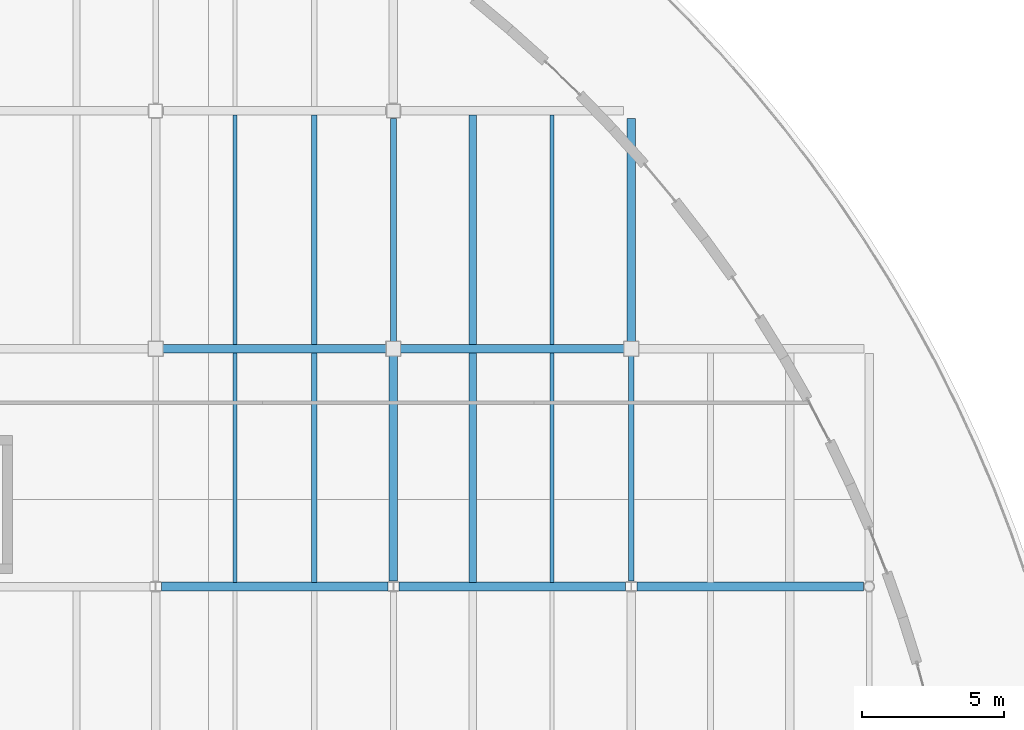
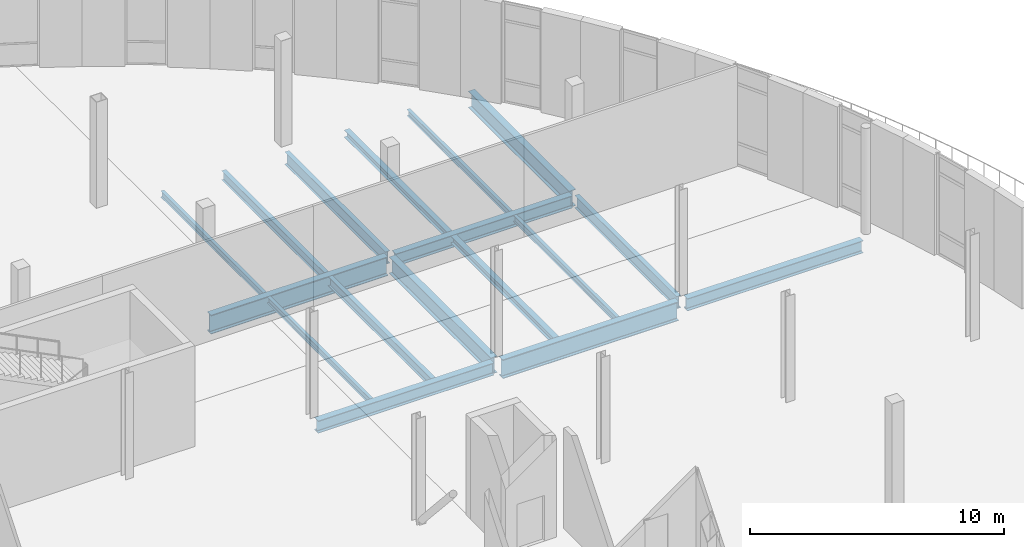
# One storey, part 49 of 103: 17 beams.
"""IFC4 building model written with IfcOpenShell, lengths in metres."""

from ifc_helpers import new_model, si_unit, direction, frame, origin, origin_2d, place, context, subcontext, project, spatial, i_section, extrude, material, material_profile, profile_set, type_object, element, save


model = new_model("IFC4")

# Units and contexts
model_context = context("Model", 3, precision=1e-05, world=origin(), true_north=direction((0.0, 1.0)))
body_context = subcontext(model_context, "Body", "Model", "MODEL_VIEW")
ifc_project = project(units=[si_unit("LENGTHUNIT", "METRE"), si_unit("AREAUNIT", "SQUARE_METRE"), si_unit("VOLUMEUNIT", "CUBIC_METRE"), si_unit("PLANEANGLEUNIT", "RADIAN"), si_unit("MASSUNIT", "GRAM", prefix="KILO"), si_unit("THERMODYNAMICTEMPERATUREUNIT", "KELVIN")], contexts=[model_context])

# Site, building, storey
site_placement = place(None, origin())
site = spatial("IfcSite", under=ifc_project, at=site_placement, CompositionType="ELEMENT")
building_placement = place(site_placement, origin())
building = spatial("IfcBuilding", under=site, at=building_placement, Name="Lustrewick Department Store", CompositionType="ELEMENT")
storey_placement = place(building_placement, frame((0.0, 0.0, 16.5)))
storey = spatial("IfcBuildingStorey", under=building, at=storey_placement, Name="L04", CompositionType="ELEMENT", Elevation=16.5)

# Beams
ifc_material_1 = material(Name="Structural steel Q355B", Category="steel")
ifc_material_profile_1 = material_profile(ifc_material_1, i_section(OverallWidth=0.199951171875, OverallDepth=0.449951171875, WebThickness=0.009033203125, FlangeThickness=0.013916015625, FilletRadius=0.01611328125, at=origin_2d()), Name="HN 450x200x9x14")
ifc_profile_set_1 = profile_set([ifc_material_profile_1], Name="Structural steel Q355B")
beam_type_1 = type_object("IfcBeamType", Name="B03", PredefinedType="JOIST", material=ifc_profile_set_1)
for number, where, z_axis, x_axis, name in (
    (1, (140.0, 75.7509765625, -0.47998046875), (0.0, 1.0, 0.0), (-1.0, 0.0, 0.0), "L04 V4 Secondary Joist B03"),
    (2, (140.0, 84.15087890625, -0.47998046875), (0.0, 1.0, 0.0), (-1.0, 0.0, 0.0), "L04 V4 Secondary Joist B03"),
):
    element("IfcBeam", number, at=place(storey_placement, frame(where, z_axis=z_axis, x_axis=x_axis)), inside=storey, type_object=beam_type_1, Name=name, PredefinedType="JOIST", context=body_context, shape_type="SweptSolid", body=[
        extrude(i_section(OverallWidth=0.199951171875, OverallDepth=0.449951171875, WebThickness=0.009033203125, FlangeThickness=0.013916015625, FilletRadius=0.01611328125, at=origin_2d()), origin(), (0.0, 0.0, 1.0), 8.09814453125),
    ])
ifc_material_profile_2 = material_profile(ifc_material_1, i_section(OverallWidth=0.25, OverallDepth=0.340087890625, WebThickness=0.009033203125, FlangeThickness=0.013916015625, FilletRadius=0.01611328125, at=origin_2d()), Name="HM 340x250x9x14")
ifc_profile_set_2 = profile_set([ifc_material_profile_2], Name="Structural steel Q355B")
beam_type_2 = type_object("IfcBeamType", Name="B08", PredefinedType="JOIST", material=ifc_profile_set_2)
for number, where, z_axis, x_axis, name in (
    (3, (145.60009765625, 75.7509765625, -0.425048828125), (0.0, 1.0, 0.0), (-1.0, 0.0, 0.0), "L04 V4 Secondary Joist B08"),
    (4, (145.60009765625, 84.15087890625, -0.425048828125), (0.0, 1.0, 0.0), (-1.0, 0.0, 0.0), "L04 V4 Secondary Joist B08"),
):
    element("IfcBeam", number, at=place(storey_placement, frame(where, z_axis=z_axis, x_axis=x_axis)), inside=storey, type_object=beam_type_2, Name=name, PredefinedType="JOIST", context=body_context, shape_type="SweptSolid", body=[
        extrude(i_section(OverallWidth=0.25, OverallDepth=0.340087890625, WebThickness=0.009033203125, FlangeThickness=0.013916015625, FilletRadius=0.01611328125, at=origin_2d()), origin(), (0.0, 0.0, 1.0), 8.09814453125),
    ])
ifc_material_profile_3 = material_profile(ifc_material_1, i_section(OverallWidth=0.14990234375, OverallDepth=0.300048828125, WebThickness=0.006591796875, FlangeThickness=0.009033203125, FilletRadius=0.011962890625, at=origin_2d()), Name="HN 300x150x6.5x9")
ifc_profile_set_3 = profile_set([ifc_material_profile_3], Name="Structural steel Q355B")
beam_type_3 = type_object("IfcBeamType", Name="B11", PredefinedType="JOIST", material=ifc_profile_set_3)
for number, where, z_axis, x_axis, name in (
    (5, (148.39990234375, 75.7509765625, -0.405029296875), (0.0, 1.0, 0.0), (-1.0, 0.0, 0.0), "L04 V4 Secondary Joist B11"),
    (6, (148.39990234375, 84.15087890625, -0.405029296875), (0.0, 1.0, 0.0), (-1.0, 0.0, 0.0), "L04 V4 Secondary Joist B11"),
):
    element("IfcBeam", number, at=place(storey_placement, frame(where, z_axis=z_axis, x_axis=x_axis)), inside=storey, type_object=beam_type_3, Name=name, PredefinedType="JOIST", context=body_context, shape_type="SweptSolid", body=[
        extrude(i_section(OverallWidth=0.14990234375, OverallDepth=0.300048828125, WebThickness=0.006591796875, FlangeThickness=0.009033203125, FilletRadius=0.011962890625, at=origin_2d()), origin(), (0.0, 0.0, 1.0), 8.09814453125),
    ])
ifc_material_profile_4 = material_profile(ifc_material_1, i_section(OverallWidth=0.14892578125, OverallDepth=0.298095703125, WebThickness=0.005615234375, FlangeThickness=0.008056640625, FilletRadius=0.011962890625, at=origin_2d()), Name="HN 298x149x5.5x8")
ifc_profile_set_4 = profile_set([ifc_material_profile_4], Name="Structural steel Q355B")
beam_type_4 = type_object("IfcBeamType", Name="B12", PredefinedType="JOIST", material=ifc_profile_set_4)
for number, where, z_axis, x_axis, name in (
    (7, (137.199951171875, 75.7509765625, -0.404052734375), (0.0, 1.0, 0.0), (-1.0, 0.0, 0.0), "L04 V4 Secondary Joist B12"),
    (8, (137.199951171875, 84.15087890625, -0.404052734375), (0.0, 1.0, 0.0), (-1.0, 0.0, 0.0), "L04 V4 Secondary Joist B12"),
):
    element("IfcBeam", number, at=place(storey_placement, frame(where, z_axis=z_axis, x_axis=x_axis)), inside=storey, type_object=beam_type_4, Name=name, PredefinedType="JOIST", context=body_context, shape_type="SweptSolid", body=[
        extrude(i_section(OverallWidth=0.14892578125, OverallDepth=0.298095703125, WebThickness=0.005615234375, FlangeThickness=0.008056640625, FilletRadius=0.011962890625, at=origin_2d()), origin(), (0.0, 0.0, 1.0), 8.09814453125),
    ])
ifc_material_2 = material(Name="Structural steel Q355C", Category="steel")
ifc_material_profile_5 = material_profile(ifc_material_2, i_section(OverallWidth=0.302001953125, OverallDepth=0.912109375, WebThickness=0.01806640625, FlangeThickness=0.033935546875, FilletRadius=0.02392578125, at=origin_2d()), Name="HN 912x302x18x34")
ifc_profile_set_5 = profile_set([ifc_material_profile_5], Name="Structural steel Q355C")
beam_type_5 = type_object("IfcBeamType", Name="G01", PredefinedType="BEAM", material=ifc_profile_set_5)
beam_1_placement = place(storey_placement, frame((143.0009765625, 75.60009765625, -0.7109375), z_axis=(1.0, 0.0, 0.0), x_axis=(0.0, 1.0, 0.0)))
element("IfcBeam", 9, at=beam_1_placement, inside=storey, type_object=beam_type_5, Name="L04 V4 Girder G01", PredefinedType="BEAM", context=body_context, shape_type="SweptSolid", body=[
    extrude(i_section(OverallWidth=0.302001953125, OverallDepth=0.912109375, WebThickness=0.01806640625, FlangeThickness=0.033935546875, FilletRadius=0.02392578125, at=origin_2d()), origin(), (0.0, 0.0, 1.0), 7.998046875),
])
beam_2_placement = place(storey_placement, frame((134.574951171875, 84.0, -0.7109375), z_axis=(1.0, 0.0, 0.0), x_axis=(0.0, 1.0, 0.0)))
element("IfcBeam", 10, at=beam_2_placement, inside=storey, type_object=beam_type_5, Name="L04 V4 Girder G01", PredefinedType="BEAM", context=body_context, shape_type="SweptSolid", body=[
    extrude(i_section(OverallWidth=0.302001953125, OverallDepth=0.912109375, WebThickness=0.01806640625, FlangeThickness=0.033935546875, FilletRadius=0.02392578125, at=origin_2d()), origin(), (0.0, 0.0, 1.0), 8.050048828125),
])
ifc_material_profile_6 = material_profile(ifc_material_1, i_section(OverallWidth=0.300048828125, OverallDepth=0.7919921875, WebThickness=0.013916015625, FlangeThickness=0.02197265625, FilletRadius=0.02197265625, at=origin_2d()), Name="HN 792x300x14x22")
ifc_profile_set_6 = profile_set([ifc_material_profile_6], Name="Structural steel Q355B")
beam_type_6 = type_object("IfcBeamType", Name="G06", PredefinedType="BEAM", material=ifc_profile_set_6)
beam_3_placement = place(storey_placement, frame((142.800048828125, 75.7939453125, -0.65087890625), z_axis=(0.0, 1.0, 0.0), x_axis=(-1.0, 0.0, 0.0)))
element("IfcBeam", 11, at=beam_3_placement, inside=storey, type_object=beam_type_6, Name="L04 V4 Girder G06", PredefinedType="BEAM", context=body_context, shape_type="SweptSolid", body=[
    extrude(i_section(OverallWidth=0.300048828125, OverallDepth=0.7919921875, WebThickness=0.013916015625, FlangeThickness=0.02197265625, FilletRadius=0.02197265625, at=origin_2d()), origin(), (0.0, 0.0, 1.0), 8.031005859375),
])
beam_4_placement = place(storey_placement, frame((151.199951171875, 84.175048828125, -0.65087890625), z_axis=(0.0, 1.0, 0.0), x_axis=(-1.0, 0.0, 0.0)))
element("IfcBeam", 12, at=beam_4_placement, inside=storey, type_object=beam_type_6, Name="L04 V4 Girder G06", PredefinedType="BEAM", context=body_context, shape_type="SweptSolid", body=[
    extrude(i_section(OverallWidth=0.300048828125, OverallDepth=0.7919921875, WebThickness=0.013916015625, FlangeThickness=0.02197265625, FilletRadius=0.02197265625, at=origin_2d()), origin(), (0.0, 0.0, 1.0), 7.949951171875),
])
ifc_material_profile_7 = material_profile(ifc_material_1, i_section(OverallWidth=0.302001953125, OverallDepth=0.593994140625, WebThickness=0.013916015625, FlangeThickness=0.02294921875, FilletRadius=0.02392578125, at=origin_2d()), Name="HM 594x302x14x23")
ifc_profile_set_7 = profile_set([ifc_material_profile_7], Name="Structural steel Q355B")
beam_type_7 = type_object("IfcBeamType", Name="G10", PredefinedType="BEAM", material=ifc_profile_set_7)
for number, where, z_axis, x_axis, name in (
    (13, (134.60107421875, 75.60009765625, -0.552001953125), (1.0, 0.0, 0.0), (0.0, 1.0, 0.0), "L04 V4 Girder G10"),
    (14, (151.40087890625, 75.60009765625, -0.552001953125), (1.0, 0.0, 0.0), (0.0, 1.0, 0.0), "L04 V4 Girder G10"),
):
    element("IfcBeam", number, at=place(storey_placement, frame(where, z_axis=z_axis, x_axis=x_axis)), inside=storey, type_object=beam_type_7, Name=name, PredefinedType="BEAM", context=body_context, shape_type="SweptSolid", body=[
        extrude(i_section(OverallWidth=0.302001953125, OverallDepth=0.593994140625, WebThickness=0.013916015625, FlangeThickness=0.02294921875, FilletRadius=0.02392578125, at=origin_2d()), origin(), (0.0, 0.0, 1.0), 7.998046875),
    ])
beam_5_placement = place(storey_placement, frame((142.97509765625, 84.0, -0.552001953125), z_axis=(1.0, 0.0, 0.0), x_axis=(0.0, 1.0, 0.0)))
element("IfcBeam", 15, at=beam_5_placement, inside=storey, type_object=beam_type_7, Name="L04 V4 Girder G10", PredefinedType="BEAM", context=body_context, shape_type="SweptSolid", body=[
    extrude(i_section(OverallWidth=0.302001953125, OverallDepth=0.593994140625, WebThickness=0.013916015625, FlangeThickness=0.02294921875, FilletRadius=0.02392578125, at=origin_2d()), origin(), (0.0, 0.0, 1.0), 8.0498046875),
])
ifc_material_profile_8 = material_profile(ifc_material_1, i_section(OverallWidth=0.198974609375, OverallDepth=0.595947265625, WebThickness=0.010009765625, FlangeThickness=0.014892578125, FilletRadius=0.01806640625, at=origin_2d()), Name="HN 596x199x10x15")
ifc_profile_set_8 = profile_set([ifc_material_profile_8], Name="Structural steel Q355B")
beam_type_8 = type_object("IfcBeamType", Name="G15", PredefinedType="BEAM", material=ifc_profile_set_8)
beam_6_placement = place(storey_placement, frame((142.800048828125, 84.175048828125, -0.552978515625), z_axis=(0.0, 1.0, 0.0), x_axis=(-1.0, 0.0, 0.0)))
element("IfcBeam", 16, at=beam_6_placement, inside=storey, type_object=beam_type_8, Name="L04 V4 Girder G15", PredefinedType="BEAM", context=body_context, shape_type="SweptSolid", body=[
    extrude(i_section(OverallWidth=0.198974609375, OverallDepth=0.595947265625, WebThickness=0.010009765625, FlangeThickness=0.014892578125, FilletRadius=0.01806640625, at=origin_2d()), origin(), (0.0, 0.0, 1.0), 7.949951171875),
])
beam_7_placement = place(storey_placement, frame((151.199951171875, 75.7939453125, -0.552978515625), z_axis=(0.0, 1.0, 0.0), x_axis=(-1.0, 0.0, 0.0)))
element("IfcBeam", 17, at=beam_7_placement, inside=storey, type_object=beam_type_8, Name="L04 V4 Girder G15", PredefinedType="BEAM", context=body_context, shape_type="SweptSolid", body=[
    extrude(i_section(OverallWidth=0.198974609375, OverallDepth=0.595947265625, WebThickness=0.010009765625, FlangeThickness=0.014892578125, FilletRadius=0.01806640625, at=origin_2d()), origin(), (0.0, 0.0, 1.0), 8.031005859375),
])

save(model, "model.ifc")
